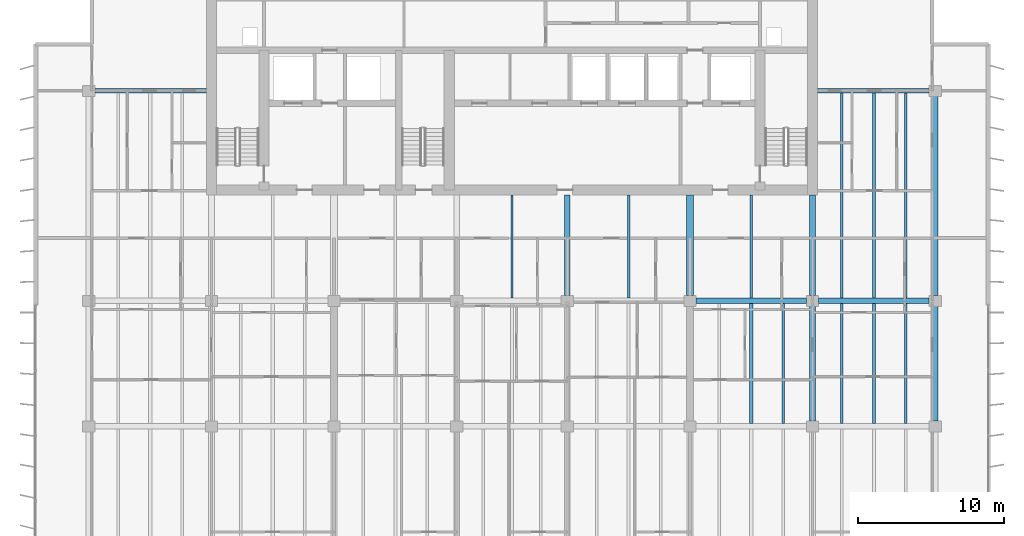
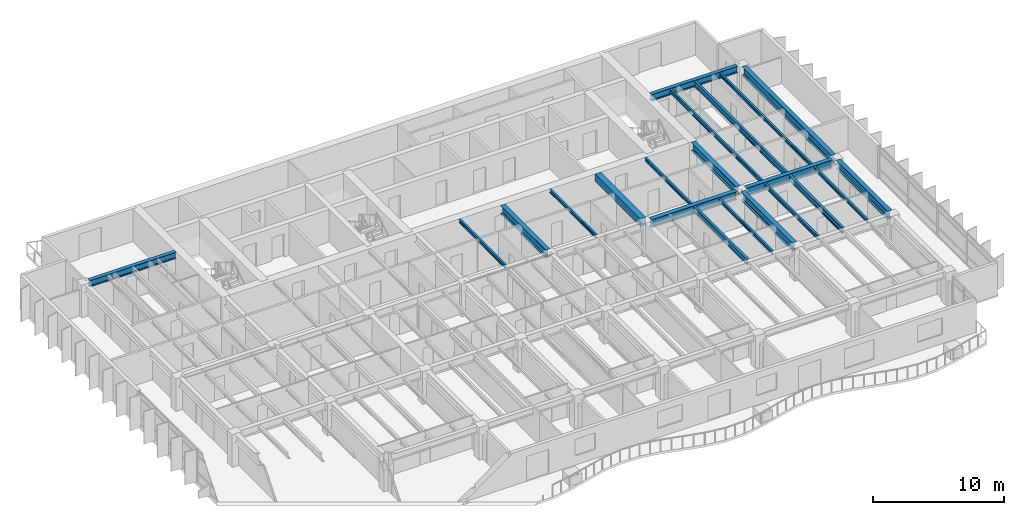
# One storey, part 5 of 19: 21 beams.
"""IFC4 building model written with IfcOpenShell, lengths in metres."""

from ifc_helpers import new_model, si_unit, direction, frame, origin, origin_2d, place, context, subcontext, project, spatial, rectangle, i_section, extrude, material, material_profile, profile_set, type_object, element, save


model = new_model("IFC4")

# Units and contexts
model_context = context("Model", 3, precision=1e-05, world=origin(), true_north=direction((0.0, 1.0)))
body_context = subcontext(model_context, "Body", "Model", "MODEL_VIEW")
ifc_project = project(units=[si_unit("LENGTHUNIT", "METRE"), si_unit("AREAUNIT", "SQUARE_METRE"), si_unit("VOLUMEUNIT", "CUBIC_METRE"), si_unit("PLANEANGLEUNIT", "RADIAN"), si_unit("MASSUNIT", "GRAM", prefix="KILO")], contexts=[model_context])

# Site, building, storey
site_placement = place(None, origin())
site = spatial("IfcSite", under=ifc_project, at=site_placement, CompositionType="ELEMENT")
building_placement = place(site_placement, origin())
building = spatial("IfcBuilding", under=site, at=building_placement, Name="Caelmar Bay Residences", CompositionType="ELEMENT")
storey_placement = place(building_placement, frame((0.0, 0.0, 163.800048828125)))
storey = spatial("IfcBuildingStorey", under=building, at=storey_placement, Name="L45", CompositionType="ELEMENT", Elevation=163.800048828125)

# Beams
ifc_material_1 = material(Name="Steel ASTM A992 Grade 50", Category="steel")
ifc_material_profile_1 = material_profile(ifc_material_1, i_section(OverallWidth=0.381103515625, OverallDepth=0.77197265625, WebThickness=0.0166015625, FlangeThickness=0.027099609375, FilletRadius=0.0166015625, at=origin_2d()), Name="W30X173")
ifc_profile_set_1 = profile_set([ifc_material_profile_1], Name="Steel ASTM A992 Grade 50")
beam_type_1 = type_object("IfcBeamType", Name="BM-GRD-W30X173", PredefinedType="BEAM", material=ifc_profile_set_1)
for number, where, z_axis, x_axis, name in (
    (1, (51.514892578125, 29.39990234375, 2.6640625), (1.0, 0.0, 0.0), (0.0, 1.0, 0.0), "L45 East-West Girder Y=29.40 (51.1-59.5)"),
    (2, (59.9150390625, 29.39990234375, 2.6640625), (1.0, 0.0, 0.0), (0.0, 1.0, 0.0), "L45 East-West Girder Y=29.40 (59.5-67.9)"),
):
    element("IfcBeam", number, at=place(storey_placement, frame(where, z_axis=z_axis, x_axis=x_axis)), inside=storey, type_object=beam_type_1, Name=name, PredefinedType="BEAM", context=body_context, shape_type="SweptSolid", body=[
        extrude(i_section(OverallWidth=0.381103515625, OverallDepth=0.77197265625, WebThickness=0.0166015625, FlangeThickness=0.027099609375, FilletRadius=0.0166015625, at=origin_2d()), origin(), (0.0, 0.0, 1.0), 7.570068359375),
    ])
for number, where, z_axis, x_axis, name in (
    (3, (42.699951171875, 29.764892578125, 2.6640625), (0.0, 1.0, 0.0), (-1.0, 0.0, 0.0), "L45 Core Tie Girder X=42.70"),
    (4, (59.5, 29.764892578125, 2.6640625), (0.0, 1.0, 0.0), (-1.0, 0.0, 0.0), "L45 Core Tie Girder X=59.50"),
):
    element("IfcBeam", number, at=place(storey_placement, frame(where, z_axis=z_axis, x_axis=x_axis)), inside=storey, type_object=beam_type_1, Name=name, PredefinedType="BEAM", context=body_context, shape_type="SweptSolid", body=[
        extrude(i_section(OverallWidth=0.381103515625, OverallDepth=0.77197265625, WebThickness=0.0166015625, FlangeThickness=0.027099609375, FilletRadius=0.0166015625, at=origin_2d()), origin(), (0.0, 0.0, 1.0), 6.885009765625),
    ])
for number, where, z_axis, x_axis, name in (
    (5, (59.5, 21.1650390625, 2.6640625), (0.0, 1.0, 0.0), (-1.0, 0.0, 0.0), "L45 North-South Girder X=59.50 (20.8-29.4)"),
    (6, (67.89990234375, 21.1650390625, 2.6640625), (0.0, 1.0, 0.0), (-1.0, 0.0, 0.0), "L45 North-South Girder X=67.90 (20.8-29.4)"),
):
    element("IfcBeam", number, at=place(storey_placement, frame(where, z_axis=z_axis, x_axis=x_axis)), inside=storey, type_object=beam_type_1, Name=name, PredefinedType="BEAM", context=body_context, shape_type="SweptSolid", body=[
        extrude(i_section(OverallWidth=0.381103515625, OverallDepth=0.77197265625, WebThickness=0.0166015625, FlangeThickness=0.027099609375, FilletRadius=0.0166015625, at=origin_2d()), origin(), (0.0, 0.0, 1.0), 7.869873046875),
    ])
beam_1_placement = place(storey_placement, frame((67.89990234375, 29.764892578125, 2.6640625), z_axis=(0.0, 1.0, 0.0), x_axis=(-1.0, 0.0, 0.0)))
element("IfcBeam", 7, at=beam_1_placement, inside=storey, type_object=beam_type_1, Name="L45 North-South Girder X=67.90 (29.4-43.8)", PredefinedType="BEAM", context=body_context, shape_type="SweptSolid", body=[
    extrude(i_section(OverallWidth=0.381103515625, OverallDepth=0.77197265625, WebThickness=0.0166015625, FlangeThickness=0.027099609375, FilletRadius=0.0166015625, at=origin_2d()), origin(), (0.0, 0.0, 1.0), 13.670166015625),
])
ifc_material_profile_2 = material_profile(ifc_material_1, i_section(OverallWidth=0.1650390625, OverallDepth=0.31005859375, WebThickness=0.005859375, FlangeThickness=0.009765625, FilletRadius=0.007568359375, at=origin_2d()), Name="W12X26")
ifc_profile_set_2 = profile_set([ifc_material_profile_2], Name="Steel ASTM A992 Grade 50")
beam_type_2 = type_object("IfcBeamType", Name="BM-JST-W12X26", PredefinedType="JOIST", material=ifc_profile_set_2)
for number, where, z_axis, x_axis, name in (
    (8, (57.48388671875, 20.990478515625, 2.89501953125), (0.0, 1.0, 0.0), (-1.0, 0.0, 0.0), "L45 Composite Floor Joist 39"),
    (9, (65.884033203125, 20.990478515625, 2.89501953125), (0.0, 1.0, 0.0), (-1.0, 0.0, 0.0), "L45 Composite Floor Joist 42"),
):
    element("IfcBeam", number, at=place(storey_placement, frame(where, z_axis=z_axis, x_axis=x_axis)), inside=storey, type_object=beam_type_2, Name=name, PredefinedType="JOIST", context=body_context, shape_type="SweptSolid", body=[
        extrude(i_section(OverallWidth=0.1650390625, OverallDepth=0.31005859375, WebThickness=0.005859375, FlangeThickness=0.009765625, FilletRadius=0.007568359375, at=origin_2d()), origin(), (0.0, 0.0, 1.0), 8.218994140625),
    ])
for number, where, z_axis, x_axis, name in (
    (10, (38.89990234375, 29.590576171875, 2.89501953125), (0.0, 1.0, 0.0), (-1.0, 0.0, 0.0), "L45 Core-Band Composite Joist 45"),
    (11, (46.89990234375, 29.590576171875, 2.89501953125), (0.0, 1.0, 0.0), (-1.0, 0.0, 0.0), "L45 Core-Band Composite Joist 46"),
    (12, (55.300048828125, 29.590576171875, 2.89501953125), (0.0, 1.0, 0.0), (-1.0, 0.0, 0.0), "L45 Core-Band Composite Joist 47"),
):
    element("IfcBeam", number, at=place(storey_placement, frame(where, z_axis=z_axis, x_axis=x_axis)), inside=storey, type_object=beam_type_2, Name=name, PredefinedType="JOIST", context=body_context, shape_type="SweptSolid", body=[
        extrude(i_section(OverallWidth=0.1650390625, OverallDepth=0.31005859375, WebThickness=0.005859375, FlangeThickness=0.009765625, FilletRadius=0.007568359375, at=origin_2d()), origin(), (0.0, 0.0, 1.0), 7.059326171875),
    ])
beam_2_placement = place(storey_placement, frame((65.884033203125, 29.590576171875, 2.89501953125), z_axis=(0.0, 1.0, 0.0), x_axis=(-1.0, 0.0, 0.0)))
element("IfcBeam", 13, at=beam_2_placement, inside=storey, type_object=beam_type_2, Name="L45 Composite Floor Joist 53", PredefinedType="JOIST", context=body_context, shape_type="SweptSolid", body=[
    extrude(i_section(OverallWidth=0.1650390625, OverallDepth=0.31005859375, WebThickness=0.005859375, FlangeThickness=0.009765625, FilletRadius=0.007568359375, at=origin_2d()), origin(), (0.0, 0.0, 1.0), 14.046875),
])
ifc_material_profile_3 = material_profile(ifc_material_1, i_section(OverallWidth=0.1708984375, OverallDepth=0.35595703125, WebThickness=0.007080078125, FlangeThickness=0.01171875, FilletRadius=0.007568359375, at=origin_2d()), Name="W14X34")
ifc_profile_set_3 = profile_set([ifc_material_profile_3], Name="Steel ASTM A992 Grade 50")
beam_type_3 = type_object("IfcBeamType", Name="BM-JST-W14X34", PredefinedType="JOIST", material=ifc_profile_set_3)
beam_3_placement = place(storey_placement, frame((61.51611328125, 20.990478515625, 2.8720703125), z_axis=(0.0, 1.0, 0.0), x_axis=(-1.0, 0.0, 0.0)))
element("IfcBeam", 14, at=beam_3_placement, inside=storey, type_object=beam_type_3, Name="L45 Composite Floor Joist 40", PredefinedType="JOIST", context=body_context, shape_type="SweptSolid", body=[
    extrude(i_section(OverallWidth=0.1708984375, OverallDepth=0.35595703125, WebThickness=0.007080078125, FlangeThickness=0.01171875, FilletRadius=0.007568359375, at=origin_2d()), origin(), (0.0, 0.0, 1.0), 8.218994140625),
])
beam_4_placement = place(storey_placement, frame((61.51611328125, 29.590576171875, 2.8720703125), z_axis=(0.0, 1.0, 0.0), x_axis=(-1.0, 0.0, 0.0)))
element("IfcBeam", 15, at=beam_4_placement, inside=storey, type_object=beam_type_3, Name="L45 Composite Floor Joist 51", PredefinedType="JOIST", context=body_context, shape_type="SweptSolid", body=[
    extrude(i_section(OverallWidth=0.1708984375, OverallDepth=0.35595703125, WebThickness=0.007080078125, FlangeThickness=0.01171875, FilletRadius=0.007568359375, at=origin_2d()), origin(), (0.0, 0.0, 1.0), 14.046875),
])
ifc_material_profile_4 = material_profile(ifc_material_1, i_section(OverallWidth=0.2099609375, OverallDepth=0.535888671875, WebThickness=0.010986328125, FlangeThickness=0.017333984375, FilletRadius=0.0126953125, at=origin_2d()), Name="W21X68")
ifc_profile_set_4 = profile_set([ifc_material_profile_4], Name="Steel ASTM A992 Grade 50")
beam_type_4 = type_object("IfcBeamType", Name="BM-JST-W21X68", PredefinedType="JOIST", material=ifc_profile_set_4)
for number, where, z_axis, x_axis, name in (
    (16, (55.300048828125, 20.990478515625, 2.781982421875), (0.0, 1.0, 0.0), (-1.0, 0.0, 0.0), "L45 Composite Floor Joist 38"),
    (17, (63.699951171875, 20.990478515625, 2.781982421875), (0.0, 1.0, 0.0), (-1.0, 0.0, 0.0), "L45 Composite Floor Joist 41"),
):
    element("IfcBeam", number, at=place(storey_placement, frame(where, z_axis=z_axis, x_axis=x_axis)), inside=storey, type_object=beam_type_4, Name=name, PredefinedType="JOIST", context=body_context, shape_type="SweptSolid", body=[
        extrude(i_section(OverallWidth=0.2099609375, OverallDepth=0.535888671875, WebThickness=0.010986328125, FlangeThickness=0.017333984375, FilletRadius=0.0126953125, at=origin_2d()), origin(), (0.0, 0.0, 1.0), 8.218994140625),
    ])
beam_5_placement = place(storey_placement, frame((63.699951171875, 29.590576171875, 2.781982421875), z_axis=(0.0, 1.0, 0.0), x_axis=(-1.0, 0.0, 0.0)))
element("IfcBeam", 18, at=beam_5_placement, inside=storey, type_object=beam_type_4, Name="L45 Composite Floor Joist 52", PredefinedType="JOIST", context=body_context, shape_type="SweptSolid", body=[
    extrude(i_section(OverallWidth=0.2099609375, OverallDepth=0.535888671875, WebThickness=0.010986328125, FlangeThickness=0.017333984375, FilletRadius=0.0126953125, at=origin_2d()), origin(), (0.0, 0.0, 1.0), 14.046875),
])
ifc_material_2 = material(Name="Concrete f'c 55 MPa (8,000 psi)", Category="concrete")
ifc_material_profile_5 = material_profile(ifc_material_2, rectangle(XDim=0.5, YDim=0.699951171875, at=origin_2d()), Name="RC-BM-500X700")
ifc_profile_set_5 = profile_set([ifc_material_profile_5], Name="Concrete f'c 55 MPa (8,000 psi)")
beam_type_5 = type_object("IfcBeamType", Name="BM-RC-500X700", PredefinedType="LINTEL", material=ifc_profile_set_5)
beam_6_placement = place(storey_placement, frame((51.10009765625, 29.764892578125, 2.699951171875), z_axis=(0.0, 1.0, 0.0), x_axis=(-1.0, 0.0, 0.0)))
element("IfcBeam", 19, at=beam_6_placement, inside=storey, type_object=beam_type_5, Name="L45 Shear-Wall Corridor Coupling Lintel E8", PredefinedType="LINTEL", context=body_context, shape_type="SweptSolid", body=[
    extrude(rectangle(XDim=0.5, YDim=0.699951171875, at=origin_2d()), origin(), (0.0, 0.0, 1.0), 6.885009765625),
])
ifc_material_profile_6 = material_profile(ifc_material_1, i_section(OverallWidth=0.324951171875, OverallDepth=0.616943359375, WebThickness=0.013916015625, FlangeThickness=0.021484375, FilletRadius=0.0126953125, at=origin_2d()), Name="W24X117")
ifc_profile_set_6 = profile_set([ifc_material_profile_6], Name="Steel ASTM A992 Grade 50")
beam_type_6 = type_object("IfcBeamType", Name="BM-SPN-W24X117", PredefinedType="SPANDREL", material=ifc_profile_set_6)
for number, where, z_axis, x_axis, name in (
    (20, (10.31494140625, 43.800048828125, 2.741455078125), (1.0, 0.0, 0.0), (0.0, 1.0, 0.0), "L45 North-West Wing Core Tie Girder"),
    (21, (59.85009765625, 43.800048828125, 2.741455078125), (1.0, 0.0, 0.0), (0.0, 1.0, 0.0), "L45 North-East Wing Core Tie Girder"),
):
    element("IfcBeam", number, at=place(storey_placement, frame(where, z_axis=z_axis, x_axis=x_axis)), inside=storey, type_object=beam_type_6, Name=name, PredefinedType="SPANDREL", context=body_context, shape_type="SweptSolid", body=[
        extrude(i_section(OverallWidth=0.324951171875, OverallDepth=0.616943359375, WebThickness=0.013916015625, FlangeThickness=0.021484375, FilletRadius=0.0126953125, at=origin_2d()), origin(), (0.0, 0.0, 1.0), 7.635009765625),
    ])

save(model, "model.ifc")
